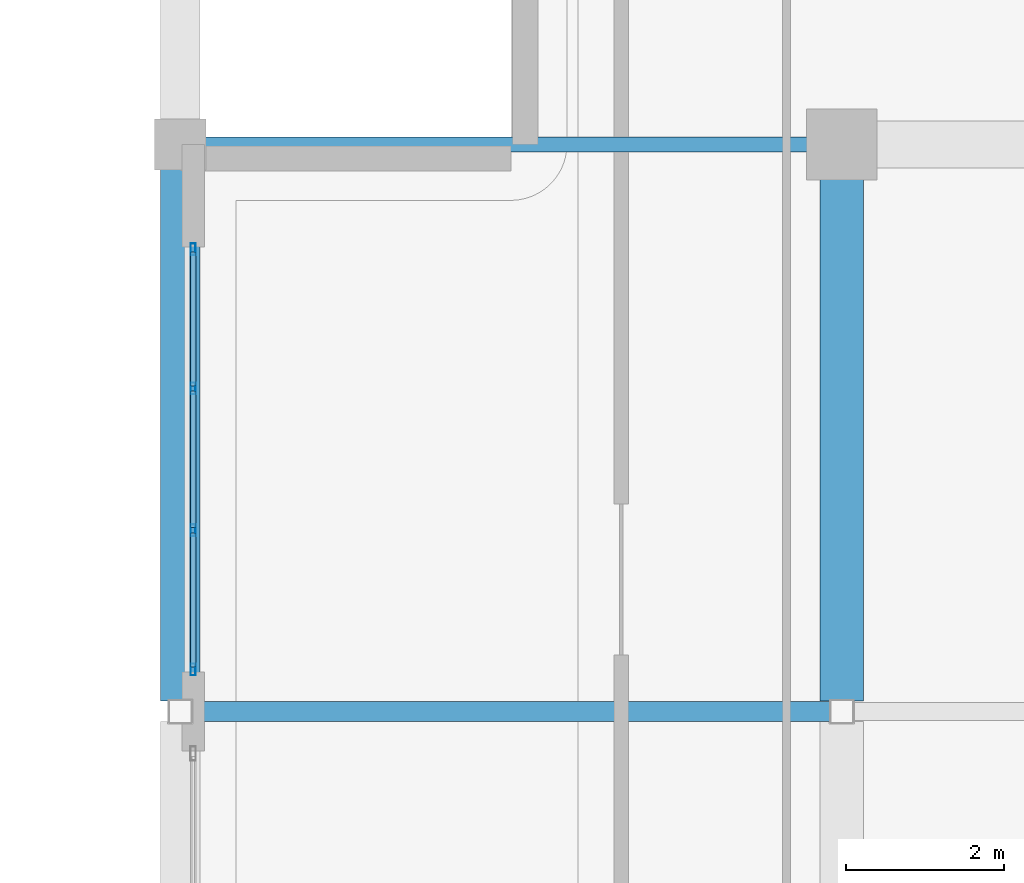
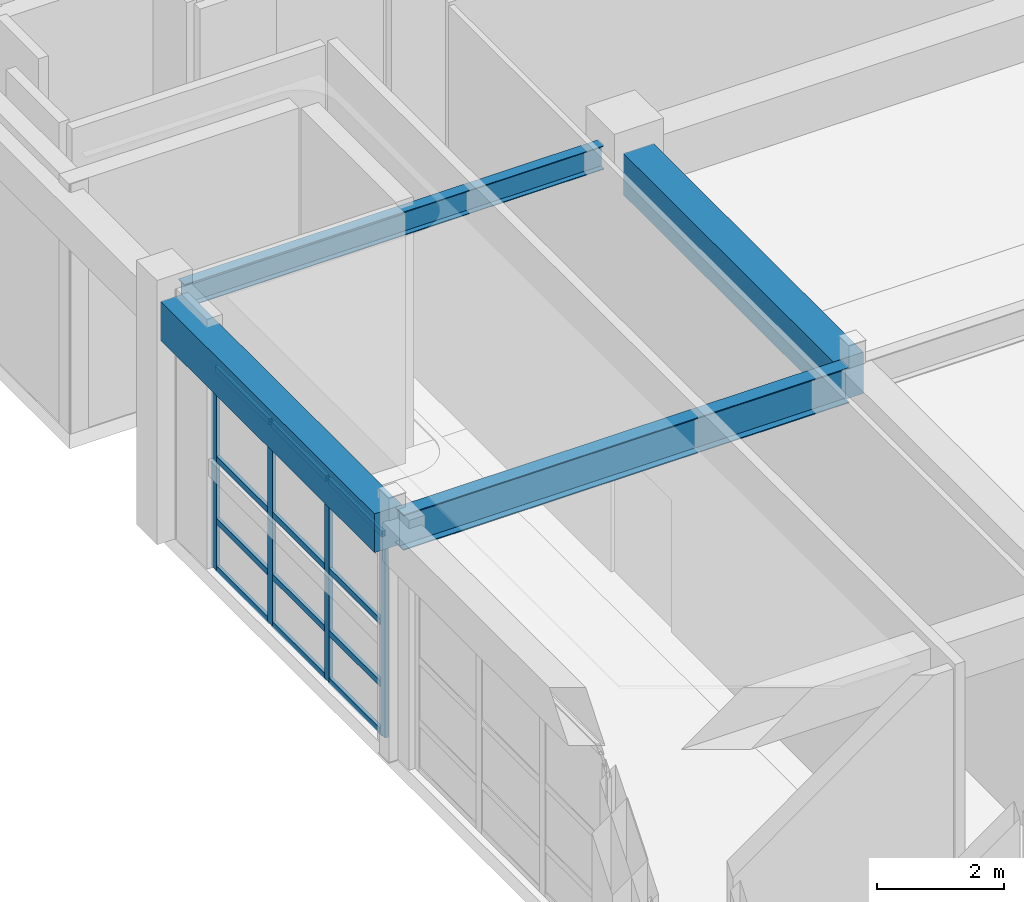
# One storey, part 34 of 78: 16 members, 4 beams, 1 element without a shape of its own.
"""IFC4 building model written with IfcOpenShell, lengths in metres."""

from ifc_helpers import new_model, si_unit, direction, frame, origin, origin_2d, place, context, subcontext, project, spatial, rectangle, hollow_rectangle, i_section, extrude, material, layer, layer_set, material_profile, profile_set, type_object, element, aggregate, save


model = new_model("IFC4")

# Units and contexts
model_context = context("Model", 3, precision=1e-05, world=origin(), true_north=direction((0.0, 1.0)))
body_context = subcontext(model_context, "Body", "Model", "MODEL_VIEW")
ifc_project = project(units=[si_unit("LENGTHUNIT", "METRE"), si_unit("AREAUNIT", "SQUARE_METRE"), si_unit("VOLUMEUNIT", "CUBIC_METRE"), si_unit("PLANEANGLEUNIT", "RADIAN"), si_unit("MASSUNIT", "GRAM", prefix="KILO")], contexts=[model_context])

# Site, building, storey
site_placement = place(None, origin())
site = spatial("IfcSite", under=ifc_project, at=site_placement, CompositionType="ELEMENT")
building_placement = place(site_placement, origin())
building = spatial("IfcBuilding", under=site, at=building_placement, Name="Quendrovan Civic Courthouse", CompositionType="ELEMENT")
storey_placement = place(building_placement, frame((0.0, 0.0, 10.199951171875)))
storey = spatial("IfcBuildingStorey", under=building, at=storey_placement, Name="L03", CompositionType="ELEMENT", Elevation=10.199951171875)

# Beams
ifc_material_1 = material(Name="Concrete C40/50", Category="concrete")
ifc_material_profile_1 = material_profile(ifc_material_1, rectangle(XDim=0.5, YDim=0.75, at=origin_2d()), Name="RC-BM-500x750")
ifc_profile_set_1 = profile_set([ifc_material_profile_1], Name="Concrete C40/50")
beam_type_1 = type_object("IfcBeamType", Name="BM-RC750", PredefinedType="SPANDREL", material=ifc_profile_set_1)
beam_1_placement = place(storey_placement, frame((33.60009765625, 80.530029296875, 4.28515625), z_axis=(0.0, 1.0, 0.0), x_axis=(-1.0, 0.0, 0.0)))
element("IfcBeam", 1, at=beam_1_placement, inside=storey, type_object=beam_type_1, Name="L03 Girder Y0824", PredefinedType="SPANDREL", context=body_context, shape_type="SweptSolid", body=[
    extrude(rectangle(XDim=0.5, YDim=0.75, at=origin_2d()), origin(), (0.0, 0.0, 1.0), 6.764892578125),
])
ifc_material_profile_2 = material_profile(ifc_material_1, rectangle(XDim=0.550048828125, YDim=0.800048828125, at=origin_2d()), Name="RC-BM-550x800")
ifc_profile_set_2 = profile_set([ifc_material_profile_2], Name="Concrete C40/50")
beam_type_2 = type_object("IfcBeamType", Name="BM-RC800", PredefinedType="BEAM", material=ifc_profile_set_2)
beam_2_placement = place(storey_placement, frame((42.0, 80.530029296875, 4.260009765625), z_axis=(0.0, 1.0, 0.0), x_axis=(-1.0, 0.0, 0.0)))
element("IfcBeam", 2, at=beam_2_placement, inside=storey, type_object=beam_type_2, Name="L03 Girder Y0832", PredefinedType="BEAM", context=body_context, shape_type="SweptSolid", body=[
    extrude(rectangle(XDim=0.550048828125, YDim=0.800048828125, at=origin_2d()), origin(), (0.0, 0.0, 1.0), 6.639892578125),
])
ifc_material_2 = material(Name="Steel ASTM A992 Grade 50", Category="steel")
ifc_material_profile_3 = material_profile(ifc_material_2, i_section(OverallWidth=0.18994140625, OverallDepth=0.45703125, WebThickness=0.009033203125, FlangeThickness=0.014404296875, at=origin_2d()), Name="W18X50")
ifc_profile_set_3 = profile_set([ifc_material_profile_3], Name="Steel ASTM A992 Grade 50")
beam_type_3 = type_object("IfcBeamType", Name="BM-STL-W18", PredefinedType="JOIST", material=ifc_profile_set_3)
beam_3_placement = place(storey_placement, frame((33.905029296875, 87.60009765625, 4.431640625), z_axis=(1.0, 0.0, 0.0), x_axis=(0.0, 1.0, 0.0)))
element("IfcBeam", 3, at=beam_3_placement, inside=storey, type_object=beam_type_3, Name="L03 Girder X0760", PredefinedType="JOIST", context=body_context, shape_type="SweptSolid", body=[
    extrude(i_section(OverallWidth=0.18994140625, OverallDepth=0.45703125, WebThickness=0.009033203125, FlangeThickness=0.014404296875, at=origin_2d()), origin(), (0.0, 0.0, 1.0), 7.6650390625),
])
ifc_material_profile_4 = material_profile(ifc_material_2, i_section(OverallWidth=0.25390625, OverallDepth=0.68408203125, WebThickness=0.012451171875, FlangeThickness=0.018798828125, at=origin_2d()), Name="W27X94")
ifc_profile_set_4 = profile_set([ifc_material_profile_4], Name="Steel ASTM A992 Grade 50")
beam_type_4 = type_object("IfcBeamType", Name="BM-STL-W27", PredefinedType="BEAM", material=ifc_profile_set_4)
beam_4_placement = place(storey_placement, frame((33.72998046875, 80.39990234375, 4.318115234375), z_axis=(1.0, 0.0, 0.0), x_axis=(0.0, 1.0, 0.0)))
element("IfcBeam", 4, at=beam_4_placement, inside=storey, type_object=beam_type_4, Name="L03 Girder X0757", PredefinedType="BEAM", context=body_context, shape_type="SweptSolid", body=[
    extrude(i_section(OverallWidth=0.25390625, OverallDepth=0.68408203125, WebThickness=0.012451171875, FlangeThickness=0.018798828125, at=origin_2d()), origin(), (0.0, 0.0, 1.0), 8.14013671875),
])

# Curtain wall, members
ifc_material_3 = material(Name="Bronze anodised aluminium and low-E glass", Category="aluminium")
ifc_layer = layer(ifc_material_3, 0.179931640625, Name="Bronze anodised aluminium and low-E glass")
ifc_layer_set = layer_set([ifc_layer], Name="Bronze anodised aluminium and low-E glass")
curtain_wall_type = type_object("IfcCurtainWallType", Name="CW-U54x39", PredefinedType="USERDEFINED", material=ifc_layer_set)
curtain_wall_placement = place(storey_placement, origin())
curtain_wall = element("IfcCurtainWall", 5, at=curtain_wall_placement, inside=storey, type_object=curtain_wall_type, Name="L03 Unitised Hurricane Curtain Wall CW-139", ObjectType="UNITISED CURTAIN WALL", PredefinedType="USERDEFINED")
ifc_material_4 = material(Name="Bronze anodised aluminium", Category="aluminium")
ifc_material_profile_5 = material_profile(ifc_material_4, hollow_rectangle(XDim=0.06494140625, YDim=0.14990234375, WallThickness=0.00390625, at=origin_2d()), Name="CW-MULL-65x150")
ifc_profile_set_5 = profile_set([ifc_material_profile_5], Name="Bronze anodised aluminium")
member_type_1 = type_object("IfcMemberType", Name="CW-MULL-B", PredefinedType="MULLION", material=ifc_profile_set_5)
member_1_placement = place(storey_placement, frame((33.764892578125, 80.9326171875, 0.0), z_axis=(0.0, 0.0, 1.0), x_axis=(-1.0, 0.0, 0.0)))
member_1 = element("IfcMember", 6, at=member_1_placement, type_object=member_type_1, Name="CW-139 mullion 1", PredefinedType="MULLION", context=body_context, shape_type="SweptSolid", body=[
    extrude(hollow_rectangle(XDim=0.06494140625, YDim=0.14990234375, WallThickness=0.00390625, at=origin_2d()), origin(), (0.0, 0.0, 1.0), 3.900146484375),
])
member_2_placement = place(storey_placement, frame((33.764892578125, 82.699951171875, 0.0), z_axis=(0.0, 0.0, 1.0), x_axis=(-1.0, 0.0, 0.0)))
member_2 = element("IfcMember", 7, at=member_2_placement, type_object=member_type_1, Name="CW-139 mullion 2", PredefinedType="MULLION", context=body_context, shape_type="SweptSolid", body=[
    extrude(hollow_rectangle(XDim=0.06494140625, YDim=0.14990234375, WallThickness=0.00390625, at=origin_2d()), origin(), (0.0, 0.0, 1.0), 3.900146484375),
])
member_3_placement = place(storey_placement, frame((33.764892578125, 84.5, 0.0), z_axis=(0.0, 0.0, 1.0), x_axis=(-1.0, 0.0, 0.0)))
member_3 = element("IfcMember", 8, at=member_3_placement, type_object=member_type_1, Name="CW-139 mullion 3", PredefinedType="MULLION", context=body_context, shape_type="SweptSolid", body=[
    extrude(hollow_rectangle(XDim=0.06494140625, YDim=0.14990234375, WallThickness=0.00390625, at=origin_2d()), origin(), (0.0, 0.0, 1.0), 3.900146484375),
])
member_4_placement = place(storey_placement, frame((33.764892578125, 86.267578125, 0.0), z_axis=(0.0, 0.0, 1.0), x_axis=(-1.0, 0.0, 0.0)))
member_4 = element("IfcMember", 9, at=member_4_placement, type_object=member_type_1, Name="CW-139 mullion 4", PredefinedType="MULLION", context=body_context, shape_type="SweptSolid", body=[
    extrude(hollow_rectangle(XDim=0.06494140625, YDim=0.14990234375, WallThickness=0.00390625, at=origin_2d()), origin(), (0.0, 0.0, 1.0), 3.900146484375),
])
ifc_material_profile_6 = material_profile(ifc_material_4, hollow_rectangle(XDim=0.06494140625, YDim=0.114990234375, WallThickness=0.00390625, at=origin_2d()), Name="CW-TRAN-65x115")
ifc_profile_set_6 = profile_set([ifc_material_profile_6], Name="Bronze anodised aluminium")
member_type_2 = type_object("IfcMemberType", Name="CW-TRAN-B", PredefinedType="USERDEFINED", material=ifc_profile_set_6)
member_5_placement = place(storey_placement, frame((33.764892578125, 80.965087890625, 0.032470703125), z_axis=(0.0, 1.0, 0.0), x_axis=(-1.0, 0.0, 0.0)))
member_5 = element("IfcMember", 10, at=member_5_placement, type_object=member_type_2, Name="CW-139 transom 1.1", ObjectType="TRANSOM", PredefinedType="USERDEFINED", context=body_context, shape_type="SweptSolid", body=[
    extrude(hollow_rectangle(XDim=0.06494140625, YDim=0.114990234375, WallThickness=0.00390625, at=origin_2d()), origin(), (0.0, 0.0, 1.0), 1.702392578125),
])
member_6_placement = place(storey_placement, frame((33.764892578125, 80.965087890625, 0.949951171875), z_axis=(0.0, 1.0, 0.0), x_axis=(-1.0, 0.0, 0.0)))
member_6 = element("IfcMember", 11, at=member_6_placement, type_object=member_type_2, Name="CW-139 transom 1.2", ObjectType="TRANSOM", PredefinedType="USERDEFINED", context=body_context, shape_type="SweptSolid", body=[
    extrude(hollow_rectangle(XDim=0.06494140625, YDim=0.114990234375, WallThickness=0.00390625, at=origin_2d()), origin(), (0.0, 0.0, 1.0), 1.702392578125),
])
member_7_placement = place(storey_placement, frame((33.764892578125, 80.965087890625, 2.150146484375), z_axis=(0.0, 1.0, 0.0), x_axis=(-1.0, 0.0, 0.0)))
member_7 = element("IfcMember", 12, at=member_7_placement, type_object=member_type_2, Name="CW-139 transom 1.3", ObjectType="TRANSOM", PredefinedType="USERDEFINED", context=body_context, shape_type="SweptSolid", body=[
    extrude(hollow_rectangle(XDim=0.06494140625, YDim=0.114990234375, WallThickness=0.00390625, at=origin_2d()), origin(), (0.0, 0.0, 1.0), 1.702392578125),
])
member_8_placement = place(storey_placement, frame((33.764892578125, 80.965087890625, 3.867431640625), z_axis=(0.0, 1.0, 0.0), x_axis=(-1.0, 0.0, 0.0)))
member_8 = element("IfcMember", 13, at=member_8_placement, type_object=member_type_2, Name="CW-139 transom 1.4", ObjectType="TRANSOM", PredefinedType="USERDEFINED", context=body_context, shape_type="SweptSolid", body=[
    extrude(hollow_rectangle(XDim=0.06494140625, YDim=0.114990234375, WallThickness=0.00390625, at=origin_2d()), origin(), (0.0, 0.0, 1.0), 1.702392578125),
])
member_9_placement = place(storey_placement, frame((33.764892578125, 82.732421875, 0.032470703125), z_axis=(0.0, 1.0, 0.0), x_axis=(-1.0, 0.0, 0.0)))
member_9 = element("IfcMember", 14, at=member_9_placement, type_object=member_type_2, Name="CW-139 transom 2.1", ObjectType="TRANSOM", PredefinedType="USERDEFINED", context=body_context, shape_type="SweptSolid", body=[
    extrude(hollow_rectangle(XDim=0.06494140625, YDim=0.114990234375, WallThickness=0.00390625, at=origin_2d()), origin(), (0.0, 0.0, 1.0), 1.735107421875),
])
member_10_placement = place(storey_placement, frame((33.764892578125, 82.732421875, 0.949951171875), z_axis=(0.0, 1.0, 0.0), x_axis=(-1.0, 0.0, 0.0)))
member_10 = element("IfcMember", 15, at=member_10_placement, type_object=member_type_2, Name="CW-139 transom 2.2", ObjectType="TRANSOM", PredefinedType="USERDEFINED", context=body_context, shape_type="SweptSolid", body=[
    extrude(hollow_rectangle(XDim=0.06494140625, YDim=0.114990234375, WallThickness=0.00390625, at=origin_2d()), origin(), (0.0, 0.0, 1.0), 1.735107421875),
])
member_11_placement = place(storey_placement, frame((33.764892578125, 82.732421875, 2.150146484375), z_axis=(0.0, 1.0, 0.0), x_axis=(-1.0, 0.0, 0.0)))
member_11 = element("IfcMember", 16, at=member_11_placement, type_object=member_type_2, Name="CW-139 transom 2.3", ObjectType="TRANSOM", PredefinedType="USERDEFINED", context=body_context, shape_type="SweptSolid", body=[
    extrude(hollow_rectangle(XDim=0.06494140625, YDim=0.114990234375, WallThickness=0.00390625, at=origin_2d()), origin(), (0.0, 0.0, 1.0), 1.735107421875),
])
member_12_placement = place(storey_placement, frame((33.764892578125, 82.732421875, 3.867431640625), z_axis=(0.0, 1.0, 0.0), x_axis=(-1.0, 0.0, 0.0)))
member_12 = element("IfcMember", 17, at=member_12_placement, type_object=member_type_2, Name="CW-139 transom 2.4", ObjectType="TRANSOM", PredefinedType="USERDEFINED", context=body_context, shape_type="SweptSolid", body=[
    extrude(hollow_rectangle(XDim=0.06494140625, YDim=0.114990234375, WallThickness=0.00390625, at=origin_2d()), origin(), (0.0, 0.0, 1.0), 1.735107421875),
])
member_13_placement = place(storey_placement, frame((33.764892578125, 84.532470703125, 0.032470703125), z_axis=(0.0, 1.0, 0.0), x_axis=(-1.0, 0.0, 0.0)))
member_13 = element("IfcMember", 18, at=member_13_placement, type_object=member_type_2, Name="CW-139 transom 3.1", ObjectType="TRANSOM", PredefinedType="USERDEFINED", context=body_context, shape_type="SweptSolid", body=[
    extrude(hollow_rectangle(XDim=0.06494140625, YDim=0.114990234375, WallThickness=0.00390625, at=origin_2d()), origin(), (0.0, 0.0, 1.0), 1.70263671875),
])
member_14_placement = place(storey_placement, frame((33.764892578125, 84.532470703125, 0.949951171875), z_axis=(0.0, 1.0, 0.0), x_axis=(-1.0, 0.0, 0.0)))
member_14 = element("IfcMember", 19, at=member_14_placement, type_object=member_type_2, Name="CW-139 transom 3.2", ObjectType="TRANSOM", PredefinedType="USERDEFINED", context=body_context, shape_type="SweptSolid", body=[
    extrude(hollow_rectangle(XDim=0.06494140625, YDim=0.114990234375, WallThickness=0.00390625, at=origin_2d()), origin(), (0.0, 0.0, 1.0), 1.70263671875),
])
member_15_placement = place(storey_placement, frame((33.764892578125, 84.532470703125, 2.150146484375), z_axis=(0.0, 1.0, 0.0), x_axis=(-1.0, 0.0, 0.0)))
member_15 = element("IfcMember", 20, at=member_15_placement, type_object=member_type_2, Name="CW-139 transom 3.3", ObjectType="TRANSOM", PredefinedType="USERDEFINED", context=body_context, shape_type="SweptSolid", body=[
    extrude(hollow_rectangle(XDim=0.06494140625, YDim=0.114990234375, WallThickness=0.00390625, at=origin_2d()), origin(), (0.0, 0.0, 1.0), 1.70263671875),
])
member_16_placement = place(storey_placement, frame((33.764892578125, 84.532470703125, 3.867431640625), z_axis=(0.0, 1.0, 0.0), x_axis=(-1.0, 0.0, 0.0)))
member_16 = element("IfcMember", 21, at=member_16_placement, type_object=member_type_2, Name="CW-139 transom 3.4", ObjectType="TRANSOM", PredefinedType="USERDEFINED", context=body_context, shape_type="SweptSolid", body=[
    extrude(hollow_rectangle(XDim=0.06494140625, YDim=0.114990234375, WallThickness=0.00390625, at=origin_2d()), origin(), (0.0, 0.0, 1.0), 1.70263671875),
])
aggregate(curtain_wall, [member_1, member_2, member_3, member_4, member_5, member_6, member_7, member_8, member_9, member_10, member_11, member_12, member_13, member_14, member_15, member_16])

save(model, "model.ifc")
